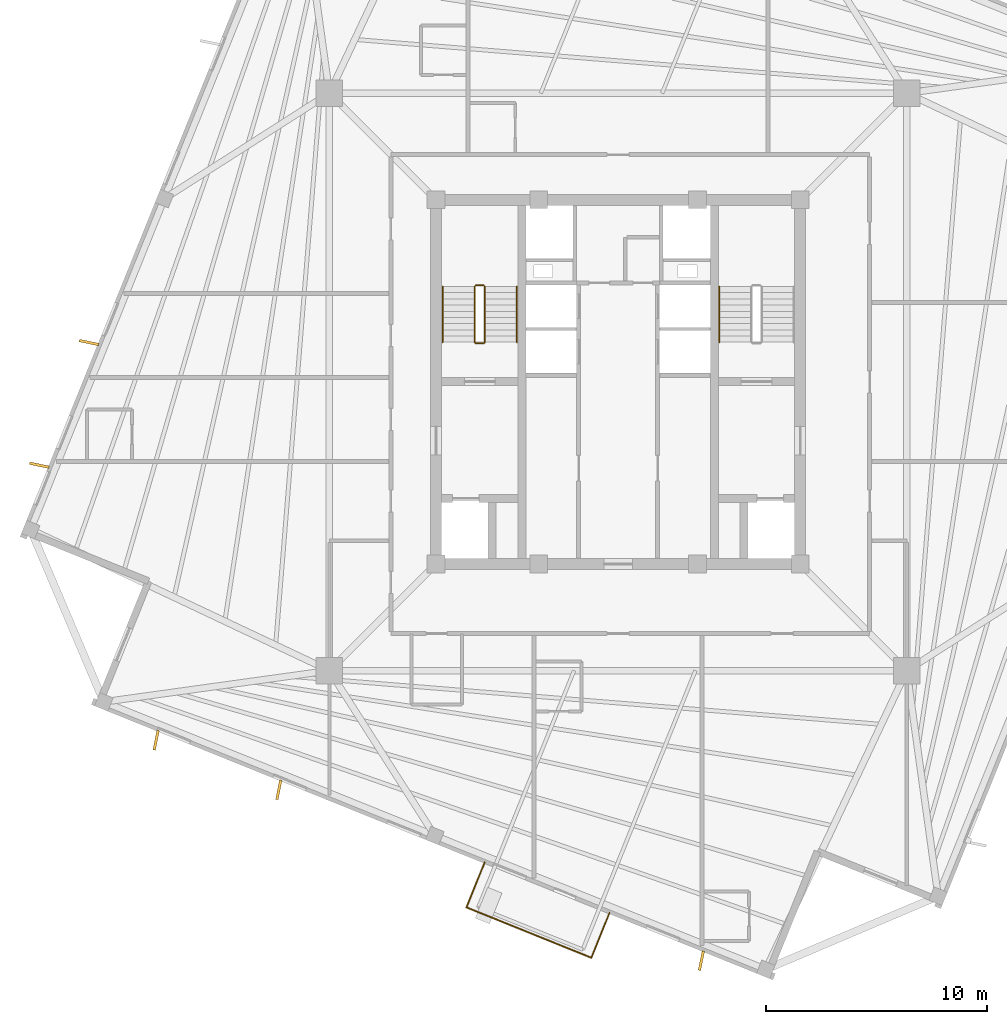
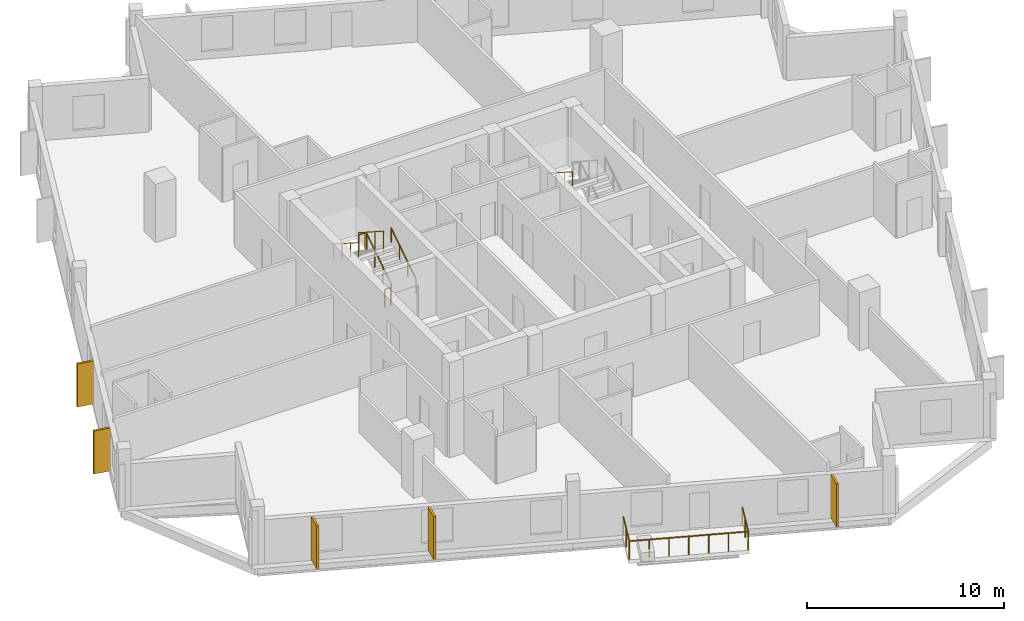
# One storey, part 6 of 8: 10 railings, 5 coverings.
"""IFC4 building model written with IfcOpenShell, lengths in metres."""

from ifc_helpers import new_model, si_unit, direction, frame, origin, origin_2d, place, context, subcontext, project, spatial, rectangle, circle, extrude, source, transform, mapped, material, layer, layer_set, type_object, element, save


model = new_model("IFC4")

# Units and contexts
model_context = context("Model", 3, precision=1e-05, world=origin(), true_north=direction((0.0, 1.0)))
body_context = subcontext(model_context, "Body", "Model", "MODEL_VIEW")
ifc_project = project(units=[si_unit("LENGTHUNIT", "METRE"), si_unit("AREAUNIT", "SQUARE_METRE"), si_unit("VOLUMEUNIT", "CUBIC_METRE"), si_unit("PLANEANGLEUNIT", "RADIAN"), si_unit("MASSUNIT", "GRAM", prefix="KILO"), si_unit("THERMODYNAMICTEMPERATUREUNIT", "KELVIN")], contexts=[model_context])

# Site, building, storey
site_placement = place(None, origin())
site = spatial("IfcSite", under=ifc_project, at=site_placement, CompositionType="ELEMENT")
building_placement = place(site_placement, origin())
building = spatial("IfcBuilding", under=site, at=building_placement, Name="Kosmvard Interchange Tower", CompositionType="ELEMENT")
storey_placement = place(building_placement, frame((0.0, 0.0, 265.199951171875)))
storey = spatial("IfcBuildingStorey", under=building, at=storey_placement, Name="L64", CompositionType="ELEMENT", Elevation=265.199951171875)

# Coverings
ifc_material_1 = material(Name="Architectural anodised aluminium", Category="aluminium")
ifc_layer = layer(ifc_material_1, 0.1201171875, Name="Architectural anodised aluminium")
ifc_layer_set = layer_set([ifc_layer], Name="Architectural anodised aluminium")
covering_type = type_object("IfcCoveringType", Name="Rotating Vertical Sun-Breaker Fin 900x120 Aluminium", PredefinedType="CLADDING", material=ifc_layer_set)
shared_shape_1 = source(origin(), body_context, "Body", "SweptSolid", [
    extrude(rectangle(XDim=0.89990234375, YDim=0.1201171875, at=origin_2d()), origin(), (0.0, 0.0, 1.0), 2.669921875),
])
for number, where, z_axis, x_axis, name in (
    (1, (-23.977783203125, 1.783935546875, 0.0400390625), (0.0, 0.0, 1.0), (-0.980236661978, 0.197828426963, 0.0), "L64 Rotating Vertical Sun-Breaker Fin 10"),
    (2, (-26.223876953125, -3.775390625, 0.0400390625), (0.0, 0.0, 1.0), (-0.980236661978, 0.197828426963, 0.0), "L64 Rotating Vertical Sun-Breaker Fin 11"),
    (3, (-20.932373046875, -16.2412109375, 0.0400390625), (0.0, 0.0, 1.0), (-0.197828426963, -0.980236661978, 0.0), "L64 Rotating Vertical Sun-Breaker Fin 12"),
    (4, (-15.373046875, -18.4873046875, 0.0400390625), (0.0, 0.0, 1.0), (-0.197828426963, -0.980236661978, 0.0), "L64 Rotating Vertical Sun-Breaker Fin 13"),
    (5, (3.775390625, -26.223876953125, 0.0400390625), (0.0, 0.0, 1.0), (-0.197828426963, -0.980236661978, 0.0), "L64 Rotating Vertical Sun-Breaker Fin 14"),
):
    element("IfcCovering", number, at=place(storey_placement, frame(where, z_axis=z_axis, x_axis=x_axis)), inside=storey, type_object=covering_type, Name=name, PredefinedType="CLADDING", context=body_context, shape_type="MappedRepresentation", body=[
        mapped(shared_shape_1, transform((0.0, 0.0, 0.0), scale=1.0)),
    ])

# Railings
ifc_material_2 = material(Name="Steel S355", Category="steel")
railing_type_1 = type_object("IfcRailingType", Name="Observation & Balcony Glass-Infill Balustrade 1150", PredefinedType="BALUSTRADE", material=ifc_material_2)
shared_shape_2 = source(origin(), body_context, "Body", "SweptSolid", [
    extrude(circle(Radius=0.02392578125, at=origin_2d()), frame((0.0, 0.0, 1.1259765625), z_axis=(0.374545618852, 0.927208487558, 0.0), x_axis=(-0.927208487558, 0.374545618852, 0.0)), (0.0, 0.0, 1.0), 2.199951171875),
    extrude(circle(Radius=0.02099609375, at=origin_2d()), origin(), (0.0, 0.0, 1.0), 1.101806640625),
    extrude(circle(Radius=0.02099609375, at=origin_2d()), frame((0.412109375, 1.02001953125, 0.0)), (0.0, 0.0, 1.0), 1.101806640625),
    extrude(circle(Radius=0.02099609375, at=origin_2d()), frame((0.823974609375, 2.039794921875, 0.0)), (0.0, 0.0, 1.0), 1.101806640625),
])
railing_1_placement = place(storey_placement, frame((-1.2138671875, -26.095458984375, 0.0)))
element("IfcRailing", 6, at=railing_1_placement, inside=storey, type_object=railing_type_1, Name="L64 Outdoor Terrace Guard BAL-L64-W-C", PredefinedType="BALUSTRADE", context=body_context, shape_type="MappedRepresentation", body=[
    mapped(shared_shape_2, transform((0.0, 0.0, 0.0), scale=1.0)),
])
shared_shape_3 = source(origin(), body_context, "Body", "SweptSolid", [
    extrude(circle(Radius=0.02392578125, at=origin_2d()), frame((0.0, 0.0, 1.1259765625), z_axis=(-0.374545618852, -0.927208487558, 0.0), x_axis=(0.927208487558, -0.374545618852, 0.0)), (0.0, 0.0, 1.0), 2.199951171875),
    extrude(circle(Radius=0.02099609375, at=origin_2d()), origin(), (0.0, 0.0, 1.0), 1.101806640625),
    extrude(circle(Radius=0.02099609375, at=origin_2d()), frame((-0.412109375, -1.02001953125, 0.0)), (0.0, 0.0, 1.0), 1.101806640625),
    extrude(circle(Radius=0.02099609375, at=origin_2d()), frame((-0.823974609375, -2.039794921875, 0.0)), (0.0, 0.0, 1.0), 1.101806640625),
])
railing_2_placement = place(storey_placement, frame((-6.045654296875, -21.7705078125, 0.0)))
element("IfcRailing", 7, at=railing_2_placement, inside=storey, type_object=railing_type_1, Name="L64 Outdoor Terrace Guard BAL-L64-W-A", PredefinedType="BALUSTRADE", context=body_context, shape_type="MappedRepresentation", body=[
    mapped(shared_shape_3, transform((0.0, 0.0, 0.0), scale=1.0)),
])
shared_shape_4 = source(origin(), body_context, "Body", "SweptSolid", [
    extrude(circle(Radius=0.02392578125, at=origin_2d()), frame((0.0, 0.0, 1.1259765625), z_axis=(0.927179288599, -0.374617894384, 0.0), x_axis=(0.374617894384, 0.927179288599, 0.0)), (0.0, 0.0, 1.0), 6.099853515625),
    extrude(circle(Radius=0.02099609375, at=origin_2d()), origin(), (0.0, 0.0, 1.0), 1.101806640625),
    extrude(circle(Radius=0.02099609375, at=origin_2d()), frame((0.942626953125, -0.380859375, 0.0)), (0.0, 0.0, 1.0), 1.101806640625),
    extrude(circle(Radius=0.02099609375, at=origin_2d()), frame((1.88525390625, -0.76171875, 0.0)), (0.0, 0.0, 1.0), 1.101806640625),
    extrude(circle(Radius=0.02099609375, at=origin_2d()), frame((2.827880859375, -1.142578125, 0.0)), (0.0, 0.0, 1.0), 1.101806640625),
    extrude(circle(Radius=0.02099609375, at=origin_2d()), frame((3.7705078125, -1.5234375, 0.0)), (0.0, 0.0, 1.0), 1.101806640625),
    extrude(circle(Radius=0.02099609375, at=origin_2d()), frame((4.713134765625, -1.904296875, 0.0)), (0.0, 0.0, 1.0), 1.101806640625),
    extrude(circle(Radius=0.02099609375, at=origin_2d()), frame((5.65576171875, -2.28515625, 0.0)), (0.0, 0.0, 1.0), 1.101806640625),
])
railing_3_placement = place(storey_placement, frame((-6.86962890625, -23.810302734375, 0.0)))
element("IfcRailing", 8, at=railing_3_placement, inside=storey, type_object=railing_type_1, Name="L64 Outdoor Terrace Guard BAL-L64-W-B", PredefinedType="BALUSTRADE", context=body_context, shape_type="MappedRepresentation", body=[
    mapped(shared_shape_4, transform((0.0, 0.0, 0.0), scale=1.0)),
])
railing_type_2 = type_object("IfcRailingType", Name="Stair & Terrace Safety Guardrail 1100 Steel", PredefinedType="GUARDRAIL", material=ifc_material_2)
shared_shape_5 = source(origin(), body_context, "Body", "SweptSolid", [
    extrude(circle(Radius=0.02392578125, at=origin_2d()), frame((0.0, 0.0, 1.076171875), z_axis=(-1.0, 0.0, 0.0), x_axis=(0.0, -1.0, 0.0)), (0.0, 0.0, 1.0), 0.35986328125),
    extrude(circle(Radius=0.02099609375, at=origin_2d()), origin(), (0.0, 0.0, 1.0), 1.052001953125),
    extrude(circle(Radius=0.02099609375, at=origin_2d()), frame((-0.35986328125, 0.0, 0.0)), (0.0, 0.0, 1.0), 1.052001953125),
])
for number, where, name in (
    (9, (-6.090087890625, 4.3701171875, 1.800048828125), "L64 ST-1 stair guard 2"),
    (10, (-6.090087890625, 1.75, 0.0), "L64 ST-1 stair guard 4"),
):
    element("IfcRailing", number, at=place(storey_placement, frame(where)), inside=storey, type_object=railing_type_2, Name=name, PredefinedType="GUARDRAIL", context=body_context, shape_type="MappedRepresentation", body=[
        mapped(shared_shape_5, transform((0.0, 0.0, 0.0), scale=1.0)),
    ])
shared_shape_6 = source(origin(), body_context, "Body", "SweptSolid", [
    extrude(circle(Radius=0.02392578125, at=origin_2d()), frame((0.0, 0.0, 1.076171875), z_axis=(0.0, 0.841162588446, 0.540782303519), x_axis=(-1.0, 0.0, 0.0)), (0.0, 0.0, 1.0), 2.995849609375),
    extrude(circle(Radius=0.02099609375, at=origin_2d()), origin(), (0.0, 0.0, 1.0), 1.052001953125),
    extrude(circle(Radius=0.02099609375, at=origin_2d()), frame((0.0, 0.840087890625, 0.5400390625)), (0.0, 0.0, 1.0), 1.052001953125),
    extrude(circle(Radius=0.02099609375, at=origin_2d()), frame((0.0, 1.679931640625, 1.080078125)), (0.0, 0.0, 1.0), 1.052001953125),
    extrude(circle(Radius=0.02099609375, at=origin_2d()), frame((0.0, 2.52001953125, 1.6201171875)), (0.0, 0.0, 1.0), 1.052001953125),
])
railing_4_placement = place(storey_placement, frame((-6.0400390625, 1.800048828125, 0.179931640625)))
element("IfcRailing", 11, at=railing_4_placement, inside=storey, type_object=railing_type_2, Name="L64 ST-1 stair guard 1", PredefinedType="GUARDRAIL", context=body_context, shape_type="MappedRepresentation", body=[
    mapped(shared_shape_6, transform((0.0, 0.0, 0.0), scale=1.0)),
])
shared_shape_7 = source(origin(), body_context, "Body", "SweptSolid", [
    extrude(circle(Radius=0.02392578125, at=origin_2d()), frame((0.0, 0.0, 1.076171875), z_axis=(0.0, -0.841162588446, 0.540782303519), x_axis=(1.0, 0.0, 0.0)), (0.0, 0.0, 1.0), 2.995849609375),
    extrude(circle(Radius=0.02099609375, at=origin_2d()), origin(), (0.0, 0.0, 1.0), 1.052001953125),
    extrude(circle(Radius=0.02099609375, at=origin_2d()), frame((0.0, -0.840087890625, 0.5400390625)), (0.0, 0.0, 1.0), 1.052001953125),
    extrude(circle(Radius=0.02099609375, at=origin_2d()), frame((0.0, -1.679931640625, 1.080078125)), (0.0, 0.0, 1.0), 1.052001953125),
    extrude(circle(Radius=0.02099609375, at=origin_2d()), frame((0.0, -2.52001953125, 1.6201171875)), (0.0, 0.0, 1.0), 1.052001953125),
])
railing_5_placement = place(storey_placement, frame((-6.5, 4.320068359375, 1.97998046875)))
element("IfcRailing", 12, at=railing_5_placement, inside=storey, type_object=railing_type_2, Name="L64 ST-1 stair guard 3", PredefinedType="GUARDRAIL", context=body_context, shape_type="MappedRepresentation", body=[
    mapped(shared_shape_7, transform((0.0, 0.0, 0.0), scale=1.0)),
])
railing_type_3 = type_object("IfcRailingType", Name="Wall-Mounted Stair Handrail 900 Steel", PredefinedType="HANDRAIL", material=ifc_material_2)
shared_shape_8 = source(origin(), body_context, "Body", "SweptSolid", [
    extrude(circle(Radius=0.02392578125, at=origin_2d()), frame((0.0, 0.0, 0.8759765625), z_axis=(0.0, 0.841162588446, 0.540782303519), x_axis=(-1.0, 0.0, 0.0)), (0.0, 0.0, 1.0), 2.995849609375),
    extrude(circle(Radius=0.02099609375, at=origin_2d()), origin(), (0.0, 0.0, 1.0), 0.851806640625),
    extrude(circle(Radius=0.02099609375, at=origin_2d()), frame((0.0, 0.840087890625, 0.5400390625)), (0.0, 0.0, 1.0), 0.851806640625),
    extrude(circle(Radius=0.02099609375, at=origin_2d()), frame((0.0, 1.679931640625, 1.080078125)), (0.0, 0.0, 1.0), 0.851806640625),
    extrude(circle(Radius=0.02099609375, at=origin_2d()), frame((0.0, 2.52001953125, 1.6201171875)), (0.0, 0.0, 1.0), 0.851806640625),
])
railing_6_placement = place(storey_placement, frame((-4.590087890625, 1.800048828125, 0.179931640625)))
element("IfcRailing", 13, at=railing_6_placement, inside=storey, type_object=railing_type_3, Name="L64 ST-1 stair handrail 1", PredefinedType="HANDRAIL", context=body_context, shape_type="MappedRepresentation", body=[
    mapped(shared_shape_8, transform((0.0, 0.0, 0.0), scale=1.0)),
])
shared_shape_9 = source(origin(), body_context, "Body", "SweptSolid", [
    extrude(circle(Radius=0.02392578125, at=origin_2d()), frame((0.0, 0.0, 0.8759765625), z_axis=(0.0, -0.841162588446, 0.540782303519), x_axis=(1.0, 0.0, 0.0)), (0.0, 0.0, 1.0), 2.995849609375),
    extrude(circle(Radius=0.02099609375, at=origin_2d()), origin(), (0.0, 0.0, 1.0), 0.851806640625),
    extrude(circle(Radius=0.02099609375, at=origin_2d()), frame((0.0, -0.840087890625, 0.5400390625)), (0.0, 0.0, 1.0), 0.851806640625),
    extrude(circle(Radius=0.02099609375, at=origin_2d()), frame((0.0, -1.679931640625, 1.080078125)), (0.0, 0.0, 1.0), 0.851806640625),
    extrude(circle(Radius=0.02099609375, at=origin_2d()), frame((0.0, -2.52001953125, 1.6201171875)), (0.0, 0.0, 1.0), 0.851806640625),
])
for number, where, name in (
    (14, (-7.949951171875, 4.320068359375, 1.97998046875), "L64 ST-1 stair handrail 2"),
    (15, (4.590087890625, 4.320068359375, 1.97998046875), "L64 ST-2 stair handrail 2"),
):
    element("IfcRailing", number, at=place(storey_placement, frame(where)), inside=storey, type_object=railing_type_3, Name=name, PredefinedType="HANDRAIL", context=body_context, shape_type="MappedRepresentation", body=[
        mapped(shared_shape_9, transform((0.0, 0.0, 0.0), scale=1.0)),
    ])

save(model, "model.ifc")
